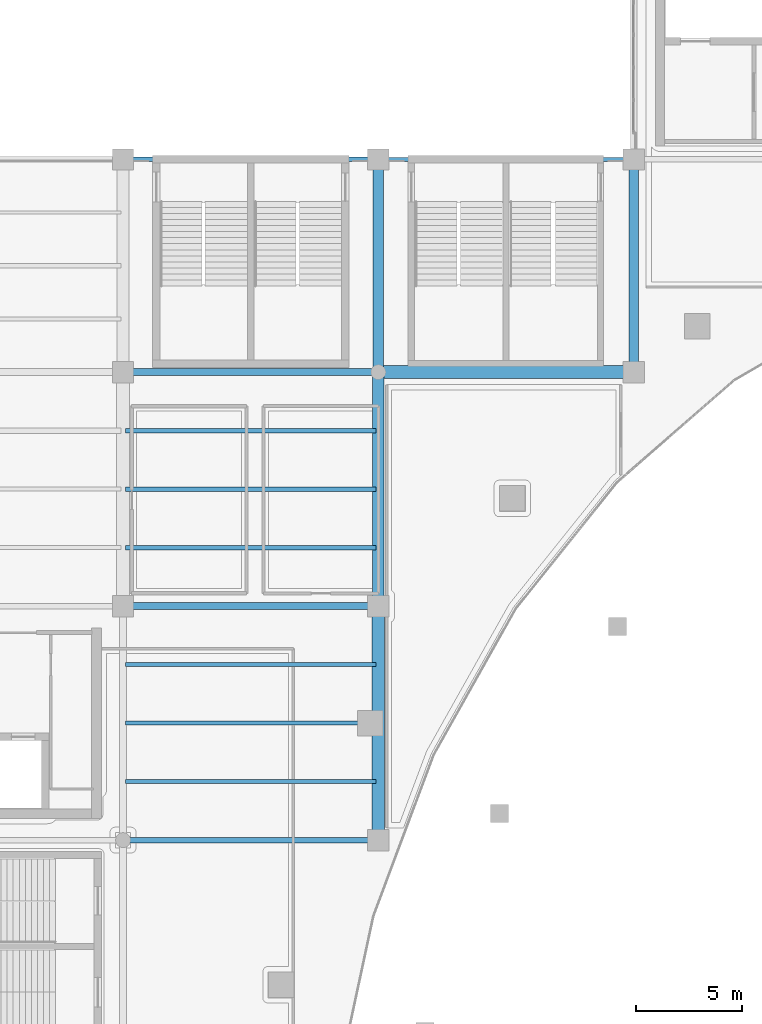
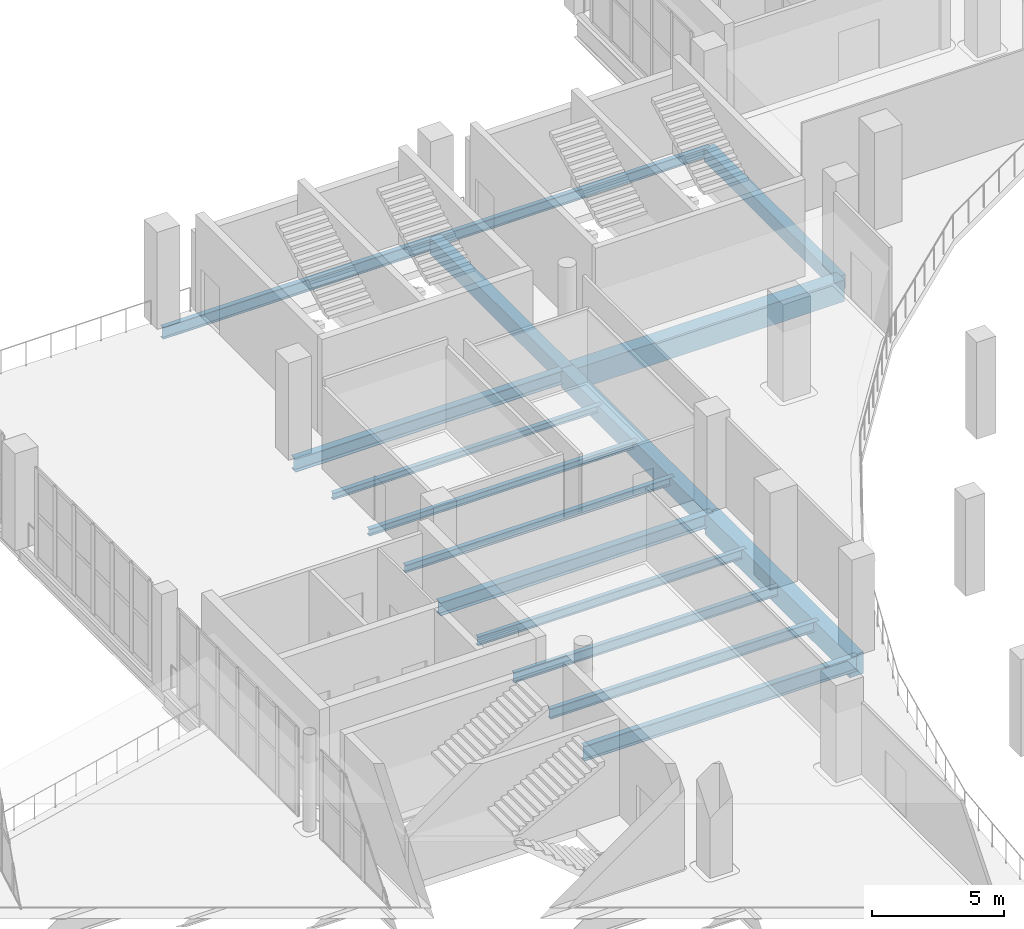
# One storey, part 43 of 108: 16 beams.
"""IFC4 building model written with IfcOpenShell, lengths in metres."""

import ifcopenshell
import ifcopenshell.guid

model = None  # the IFC model being written
_history = None  # IfcOwnerHistory: only IFC2X3 demands one
_inside = {}  # id of a spatial element -> (the spatial element, [elements in it])
_under = {}  # id of a project, library or spatial element -> (it, [spatial elements below it])
_declared = {}  # id of a project -> (the project, [libraries it declares])
_typed = {}  # id of a type object -> (the type object, [elements of that type])
_made_of = {}  # id of a material, layer set ... -> (it, [elements and type objects made of it])


def new_model(schema):
    """Start an empty IFC model of exactly this schema.

    Asked for "IFC4X3", IfcOpenShell would pick the latest addendum, in which some entities
    have other attributes; the version numbers below select the first issue.
    IFC2X3 requires an IfcOwnerHistory on every rooted entity: one is made here for all.
    """
    global model, _history
    if schema == "IFC4X3":
        model = ifcopenshell.file(schema_version=(4, 3, 0, 0))
    else:
        model = ifcopenshell.file(schema=schema)
    _inside.clear()
    _under.clear()
    _declared.clear()
    _typed.clear()
    _made_of.clear()
    _history = None
    if model.schema == "IFC2X3":
        org = make("IfcOrganization", Name="unknown")
        user = make(
            "IfcPersonAndOrganization",
            ThePerson=make("IfcPerson", FamilyName="unknown"),
            TheOrganization=org,
        )
        app = make(
            "IfcApplication",
            ApplicationDeveloper=org,
            Version="unknown",
            ApplicationFullName="unknown",
            ApplicationIdentifier="unknown",
        )
        _history = make(
            "IfcOwnerHistory",
            OwningUser=user,
            OwningApplication=app,
            ChangeAction="ADDED",
            CreationDate=0,
        )
    return model


def make(cls, **values):
    """One entity of the class cls with the attributes given. An attribute that is None is left unset."""
    return model.create_entity(
        cls, **{name: value for name, value in values.items() if value is not None}
    )


def rooted(cls, **values):
    """An entity with a GlobalId (a new one), such as an element, a storey or a relation."""
    return make(cls, GlobalId=ifcopenshell.guid.new(), OwnerHistory=_history, **values)


def si_unit(unit_type, name, prefix=None):
    """IfcSIUnit, for example si_unit("LENGTHUNIT", "METRE", prefix="MILLI")."""
    return make("IfcSIUnit", UnitType=unit_type, Prefix=prefix, Name=name)


def assignment(units):
    """IfcUnitAssignment: the units of a project."""
    return None if units is None else make("IfcUnitAssignment", Units=units)


def point(xyz):
    """IfcCartesianPoint."""
    return None if xyz is None else make("IfcCartesianPoint", Coordinates=xyz)


def direction(xyz):
    """IfcDirection."""
    return None if xyz is None else make("IfcDirection", DirectionRatios=xyz)


def frame(location, z_axis=None, x_axis=None):
    """IfcAxis2Placement3D, a coordinate frame: its origin and axes. An axis left out is left unset."""
    return make(
        "IfcAxis2Placement3D",
        Location=point(location),
        Axis=direction(z_axis),
        RefDirection=direction(x_axis),
    )


def frame_2d(location, x_axis=None):
    """IfcAxis2Placement2D, a coordinate frame in the plane: its origin and x axis."""
    return make(
        "IfcAxis2Placement2D", Location=point(location), RefDirection=direction(x_axis)
    )


def origin():
    """The frame at (0, 0, 0) with its axes left unset."""
    return frame((0.0, 0.0, 0.0))


def origin_2d():
    """The frame at (0, 0) in the plane with its x axis left unset."""
    return frame_2d((0.0, 0.0))


def place(relative_to, where):
    """IfcLocalPlacement: puts the frame where relative to a parent placement (None: the world)."""
    return make(
        "IfcLocalPlacement", PlacementRelTo=relative_to, RelativePlacement=where
    )


def context(
    kind, dimensions, precision=None, world=None, true_north=None, identifier=None
):
    """IfcGeometricRepresentationContext, for example the 3D "Model" context."""
    return make(
        "IfcGeometricRepresentationContext",
        ContextIdentifier=identifier,
        ContextType=kind,
        CoordinateSpaceDimension=dimensions,
        Precision=precision,
        WorldCoordinateSystem=world,
        TrueNorth=true_north,
    )


def subcontext(parent, identifier, kind, view, scale=None):
    """IfcGeometricRepresentationSubContext, for example "Body" below "Model"."""
    return make(
        "IfcGeometricRepresentationSubContext",
        ContextIdentifier=identifier,
        ContextType=kind,
        ParentContext=parent,
        TargetScale=scale,
        TargetView=view,
    )


def project(units=None, contexts=None):
    """IfcProject with its units and contexts."""
    return rooted(
        "IfcProject",
        Name="project",
        RepresentationContexts=contexts,
        UnitsInContext=assignment(units),
    )


def spatial(cls, under=None, at=None, **own):
    """A site, building, storey or space (cls), placed at a placement, below another one or the project."""
    s = rooted(cls, ObjectPlacement=at, **own)
    if under is not None:
        _under.setdefault(under.id(), (under, []))[1].append(s)
    return s


def profile(cls, at=None, kind="AREA", **sizes):
    """A parametric profile (cls). Its sizes go by their IFC names, for example OverallWidth=200.0."""
    return make(cls, ProfileType=kind, Position=at, **sizes)


def rectangle(**sizes):
    """IfcRectangleProfileDef."""
    return profile("IfcRectangleProfileDef", **sizes)


def i_section(**sizes):
    """IfcIShapeProfileDef."""
    return profile("IfcIShapeProfileDef", **sizes)


def extrude(swept, where, along, depth):
    """IfcExtrudedAreaSolid: the profile swept, set in the frame where, extruded along a direction by depth."""
    return make(
        "IfcExtrudedAreaSolid",
        SweptArea=swept,
        Position=where,
        ExtrudedDirection=direction(along),
        Depth=depth,
    )


def shape(context_of_items, identifier, shape_type, items):
    """IfcShapeRepresentation: the items that make up one representation, for example the "Body"."""
    return make(
        "IfcShapeRepresentation",
        ContextOfItems=context_of_items,
        RepresentationIdentifier=identifier,
        RepresentationType=shape_type,
        Items=items,
    )


def material(Name=None, Category=None):
    """IfcMaterial."""
    return make("IfcMaterial", Name=Name, Category=Category)


def material_profile(
    of_material, cross_section, Name=None, Category=None, Priority=None
):
    """IfcMaterialProfile: a cross section and its material."""
    return make(
        "IfcMaterialProfile",
        Name=Name,
        Material=of_material,
        Profile=cross_section,
        Priority=Priority,
        Category=Category,
    )


def profile_set(profiles, Name=None, composite=None):
    """IfcMaterialProfileSet."""
    return make(
        "IfcMaterialProfileSet",
        Name=Name,
        MaterialProfiles=profiles,
        CompositeProfile=composite,
    )


def made_of(thing, what):
    """Note that an element or type object is made of a material, layer set ...; save() writes the relation."""
    if what is not None:
        _made_of.setdefault(what.id(), (what, []))[1].append(thing)
    return thing


def type_object(cls, material=None, **own):
    """A type object (cls), such as IfcWallType, which elements share."""
    return made_of(rooted(cls, **own), material)


def element(
    cls,
    number,
    at=None,
    inside=None,
    cuts=None,
    type_object=None,
    material=None,
    context=None,
    identifier="Body",
    shape_type=None,
    held_by="IfcProductDefinitionShape",
    body=None,
    shapes=None,
    **own,
):
    """One element of the class cls, such as IfcWall. Its Tag is "e" and its number.

    at: its placement. inside: the storey or other place that contains it. cuts: it is an
    opening in that element (IfcRelVoidsElement). A single representation is given by context,
    identifier, shape_type and body (its items); several are given by shapes. held_by: the class
    of the entity that holds the representations. save() writes the other relations.
    """
    e = rooted(cls, Tag="e%d" % number, ObjectPlacement=at, **own)
    if body is not None:
        shapes = [shape(context, identifier, shape_type, body)]
    if shapes is not None:
        e.Representation = make(held_by, Representations=shapes)
    if inside is not None:
        _inside.setdefault(inside.id(), (inside, []))[1].append(e)
    if cuts is not None:
        rooted(
            "IfcRelVoidsElement", RelatingBuildingElement=cuts, RelatedOpeningElement=e
        )
    if type_object is not None:
        _typed.setdefault(type_object.id(), (type_object, []))[1].append(e)
    return made_of(e, material)


def aggregate(whole, parts):
    """IfcRelAggregates: a whole, such as a stair, and the parts it consists of."""
    return rooted("IfcRelAggregates", RelatingObject=whole, RelatedObjects=parts)


def save(model, path):
    """Write the relations noted so far, then the file.

    IfcRelAggregates (storeys below a building ...), IfcRelContainedInSpatialStructure (elements
    in a storey), IfcRelDefinesByType, IfcRelAssociatesMaterial and IfcRelDeclares: one each for
    every whole, place, type object, material and project.
    """
    for whole, parts in _under.values():
        aggregate(whole, parts)
    for where, things in _inside.values():
        rooted(
            "IfcRelContainedInSpatialStructure",
            RelatedElements=things,
            RelatingStructure=where,
        )
    for kind, things in _typed.values():
        rooted("IfcRelDefinesByType", RelatedObjects=things, RelatingType=kind)
    for what, things in _made_of.values():
        rooted("IfcRelAssociatesMaterial", RelatedObjects=things, RelatingMaterial=what)
    for by, libraries in _declared.values():
        rooted("IfcRelDeclares", RelatingContext=by, RelatedDefinitions=libraries)
    model.write(path)


model = new_model("IFC4")

# Units and contexts
model_context = context("Model", 3, precision=1e-05, world=origin(), true_north=direction((0.0, 1.0)))
body_context = subcontext(model_context, "Body", "Model", "MODEL_VIEW")
ifc_project = project(units=[si_unit("LENGTHUNIT", "METRE"), si_unit("AREAUNIT", "SQUARE_METRE"), si_unit("VOLUMEUNIT", "CUBIC_METRE"), si_unit("PLANEANGLEUNIT", "RADIAN"), si_unit("MASSUNIT", "GRAM", prefix="KILO")], contexts=[model_context])

# Site, building, storey
site_placement = place(None, origin())
site = spatial("IfcSite", under=ifc_project, at=site_placement, CompositionType="ELEMENT")
building_placement = place(site_placement, origin())
building = spatial("IfcBuilding", under=site, at=building_placement, Name="Brinegate Civic Arena", CompositionType="ELEMENT")
storey_placement = place(building_placement, frame((0.0, 0.0, 10.199951171875)))
storey = spatial("IfcBuildingStorey", under=building, at=storey_placement, Name="L02", CompositionType="ELEMENT", Elevation=10.199951171875)

# Beams
ifc_material_1 = material(Name="Steel S355", Category="steel")
ifc_material_profile_1 = material_profile(ifc_material_1, i_section(OverallWidth=0.323974609375, OverallDepth=0.611083984375, WebThickness=0.012939453125, FlangeThickness=0.01904296875, FilletRadius=0.01611328125, at=origin_2d()), Name="W610X155")
ifc_profile_set_1 = profile_set([ifc_material_profile_1], Name="Steel S355")
beam_type_1 = type_object("IfcBeamType", Name="GIRDER-W610X155", PredefinedType="BEAM", material=ifc_profile_set_1)
beam_1_placement = place(storey_placement, frame((60.0, 93.0, -0.635009765625), z_axis=(1.0, 0.0, 0.0), x_axis=(0.0, 1.0, 0.0)))
element("IfcBeam", 1, at=beam_1_placement, inside=storey, type_object=beam_type_1, Name="Floor Girder BM-L02-GX-05-09", PredefinedType="BEAM", context=body_context, shape_type="SweptSolid", body=[
    extrude(i_section(OverallWidth=0.323974609375, OverallDepth=0.611083984375, WebThickness=0.012939453125, FlangeThickness=0.01904296875, FilletRadius=0.01611328125, at=origin_2d()), origin(), (0.0, 0.0, 1.0), 12.0),
])
ifc_material_profile_2 = material_profile(ifc_material_1, i_section(OverallWidth=0.324951171875, OverallDepth=0.615966796875, WebThickness=0.013916015625, FlangeThickness=0.02197265625, FilletRadius=0.01611328125, at=origin_2d()), Name="W610X174")
ifc_profile_set_2 = profile_set([ifc_material_profile_2], Name="Steel S355")
beam_type_2 = type_object("IfcBeamType", Name="GIRDER-W610X174", PredefinedType="BEAM", material=ifc_profile_set_2)
beam_2_placement = place(storey_placement, frame((60.0, 104.0, -0.637939453125), z_axis=(1.0, 0.0, 0.0), x_axis=(0.0, 1.0, 0.0)))
element("IfcBeam", 2, at=beam_2_placement, inside=storey, type_object=beam_type_2, Name="Floor Girder BM-L02-GX-05-10", PredefinedType="BEAM", context=body_context, shape_type="SweptSolid", body=[
    extrude(i_section(OverallWidth=0.324951171875, OverallDepth=0.615966796875, WebThickness=0.013916015625, FlangeThickness=0.02197265625, FilletRadius=0.01611328125, at=origin_2d()), origin(), (0.0, 0.0, 1.0), 12.0),
])
ifc_material_profile_3 = material_profile(ifc_material_1, i_section(OverallWidth=0.256103515625, OverallDepth=0.693115234375, WebThickness=0.014892578125, FlangeThickness=0.02392578125, FilletRadius=0.01806640625, at=origin_2d()), Name="W690X170")
ifc_profile_set_3 = profile_set([ifc_material_profile_3], Name="Steel S355")
beam_type_3 = type_object("IfcBeamType", Name="GIRDER-W690X170", PredefinedType="BEAM", material=ifc_profile_set_3)
beam_3_placement = place(storey_placement, frame((60.0, 82.0, -0.676025390625), z_axis=(1.0, 0.0, 0.0), x_axis=(0.0, 1.0, 0.0)))
element("IfcBeam", 3, at=beam_3_placement, inside=storey, type_object=beam_type_3, Name="Floor Girder BM-L02-GX-05-08", PredefinedType="BEAM", context=body_context, shape_type="SweptSolid", body=[
    extrude(i_section(OverallWidth=0.256103515625, OverallDepth=0.693115234375, WebThickness=0.014892578125, FlangeThickness=0.02392578125, FilletRadius=0.01806640625, at=origin_2d()), origin(), (0.0, 0.0, 1.0), 12.0),
])
ifc_material_profile_4 = material_profile(ifc_material_1, i_section(OverallWidth=0.202880859375, OverallDepth=0.302978515625, WebThickness=0.008056640625, FlangeThickness=0.012939453125, FilletRadius=0.012939453125, at=origin_2d()), Name="W310X60")
ifc_profile_set_4 = profile_set([ifc_material_profile_4], Name="Steel S355")
beam_type_4 = type_object("IfcBeamType", Name="JOIST-W310X60", PredefinedType="JOIST", material=ifc_profile_set_4)
beam_4_placement = place(storey_placement, frame((60.10595703125, 101.25, -0.48095703125), z_axis=(1.0, 0.0, 0.0), x_axis=(0.0, 1.0, 0.0)))
element("IfcBeam", 4, at=beam_4_placement, inside=storey, type_object=beam_type_4, Name="Secondary Joist BM-L02-JX-05-09-3", PredefinedType="JOIST", context=body_context, shape_type="SweptSolid", body=[
    extrude(i_section(OverallWidth=0.202880859375, OverallDepth=0.302978515625, WebThickness=0.008056640625, FlangeThickness=0.012939453125, FilletRadius=0.012939453125, at=origin_2d()), origin(), (0.0, 0.0, 1.0), 11.7880859375),
])
ifc_material_profile_5 = material_profile(ifc_material_1, i_section(OverallWidth=0.205078125, OverallDepth=0.31005859375, WebThickness=0.009033203125, FlangeThickness=0.01611328125, FilletRadius=0.012939453125, at=origin_2d()), Name="W310X74")
ifc_profile_set_5 = profile_set([ifc_material_profile_5], Name="Steel S355")
beam_type_5 = type_object("IfcBeamType", Name="JOIST-W310X74", PredefinedType="JOIST", material=ifc_profile_set_5)
beam_5_placement = place(storey_placement, frame((60.10595703125, 98.5, -0.48486328125), z_axis=(1.0, 0.0, 0.0), x_axis=(0.0, 1.0, 0.0)))
element("IfcBeam", 5, at=beam_5_placement, inside=storey, type_object=beam_type_5, Name="Secondary Joist BM-L02-JX-05-09-2", PredefinedType="JOIST", context=body_context, shape_type="SweptSolid", body=[
    extrude(i_section(OverallWidth=0.205078125, OverallDepth=0.31005859375, WebThickness=0.009033203125, FlangeThickness=0.01611328125, FilletRadius=0.012939453125, at=origin_2d()), origin(), (0.0, 0.0, 1.0), 11.7880859375),
])
ifc_material_profile_6 = material_profile(ifc_material_1, i_section(OverallWidth=0.205078125, OverallDepth=0.35400390625, WebThickness=0.009033203125, FlangeThickness=0.01708984375, FilletRadius=0.013916015625, at=origin_2d()), Name="W360X79")
ifc_profile_set_6 = profile_set([ifc_material_profile_6], Name="Steel S355")
beam_type_6 = type_object("IfcBeamType", Name="JOIST-W360X79", PredefinedType="JOIST", material=ifc_profile_set_6)
beam_6_placement = place(storey_placement, frame((60.10595703125, 95.75, -0.5068359375), z_axis=(1.0, 0.0, 0.0), x_axis=(0.0, 1.0, 0.0)))
element("IfcBeam", 6, at=beam_6_placement, inside=storey, type_object=beam_type_6, Name="Secondary Joist BM-L02-JX-05-09-1", PredefinedType="JOIST", context=body_context, shape_type="SweptSolid", body=[
    extrude(i_section(OverallWidth=0.205078125, OverallDepth=0.35400390625, WebThickness=0.009033203125, FlangeThickness=0.01708984375, FilletRadius=0.013916015625, at=origin_2d()), origin(), (0.0, 0.0, 1.0), 11.7880859375),
])
ifc_material_profile_7 = material_profile(ifc_material_1, i_section(OverallWidth=0.180908203125, OverallDepth=0.4169921875, WebThickness=0.010986328125, FlangeThickness=0.01806640625, FilletRadius=0.013916015625, at=origin_2d()), Name="W410X85")
ifc_profile_set_7 = profile_set([ifc_material_profile_7], Name="Steel S355")
beam_type_7 = type_object("IfcBeamType", Name="JOIST-W410X85", PredefinedType="JOIST", material=ifc_profile_set_7)
beam_7_placement = place(storey_placement, frame((60.10595703125, 90.25, -0.537841796875), z_axis=(1.0, 0.0, 0.0), x_axis=(0.0, 1.0, 0.0)))
element("IfcBeam", 7, at=beam_7_placement, inside=storey, type_object=beam_type_7, Name="Secondary Joist BM-L02-JX-05-08-3", PredefinedType="JOIST", context=body_context, shape_type="SweptSolid", body=[
    extrude(i_section(OverallWidth=0.180908203125, OverallDepth=0.4169921875, WebThickness=0.010986328125, FlangeThickness=0.01806640625, FilletRadius=0.013916015625, at=origin_2d()), origin(), (0.0, 0.0, 1.0), 11.7880859375),
])
ifc_material_profile_8 = material_profile(ifc_material_1, i_section(OverallWidth=0.195068359375, OverallDepth=0.472900390625, WebThickness=0.011962890625, FlangeThickness=0.02197265625, FilletRadius=0.014892578125, at=origin_2d()), Name="W460X113")
ifc_profile_set_8 = profile_set([ifc_material_profile_8], Name="Steel S355")
beam_type_8 = type_object("IfcBeamType", Name="JOIST-W460X113", PredefinedType="JOIST", material=ifc_profile_set_8)
beam_8_placement = place(storey_placement, frame((60.10595703125, 84.75, -0.56591796875), z_axis=(1.0, 0.0, 0.0), x_axis=(0.0, 1.0, 0.0)))
element("IfcBeam", 8, at=beam_8_placement, inside=storey, type_object=beam_type_8, Name="Secondary Joist BM-L02-JX-05-08-1", PredefinedType="JOIST", context=body_context, shape_type="SweptSolid", body=[
    extrude(i_section(OverallWidth=0.195068359375, OverallDepth=0.472900390625, WebThickness=0.011962890625, FlangeThickness=0.02197265625, FilletRadius=0.014892578125, at=origin_2d()), origin(), (0.0, 0.0, 1.0), 11.7880859375),
])
ifc_material_profile_9 = material_profile(ifc_material_1, i_section(OverallWidth=0.19091796875, OverallDepth=0.4599609375, WebThickness=0.010009765625, FlangeThickness=0.01611328125, FilletRadius=0.014892578125, at=origin_2d()), Name="W460X82")
ifc_profile_set_9 = profile_set([ifc_material_profile_9], Name="Steel S355")
beam_type_9 = type_object("IfcBeamType", Name="JOIST-W460X82", PredefinedType="JOIST", material=ifc_profile_set_9)
beam_9_placement = place(storey_placement, frame((60.10595703125, 87.5, -0.56005859375), z_axis=(1.0, 0.0, 0.0), x_axis=(0.0, 1.0, 0.0)))
element("IfcBeam", 9, at=beam_9_placement, inside=storey, type_object=beam_type_9, Name="Secondary Joist BM-L02-JX-05-08-2", PredefinedType="JOIST", context=body_context, shape_type="SweptSolid", body=[
    extrude(i_section(OverallWidth=0.19091796875, OverallDepth=0.4599609375, WebThickness=0.010009765625, FlangeThickness=0.01611328125, FilletRadius=0.014892578125, at=origin_2d()), origin(), (0.0, 0.0, 1.0), 11.7880859375),
])
ifc_material_2 = material(Name="Concrete C50/60", Category="concrete")
ifc_material_profile_10 = material_profile(ifc_material_2, rectangle(XDim=0.449951171875, YDim=0.64990234375, at=origin_2d()), Name="RCB450X650")
ifc_profile_set_10 = profile_set([ifc_material_profile_10], Name="Concrete C50/60")
beam_type_10 = type_object("IfcBeamType", Name="RCG-450X650", PredefinedType="BEAM", material=ifc_profile_set_10)
beam_10_placement = place(storey_placement, frame((84.0, 104.0, -0.655029296875), z_axis=(0.0, 1.0, 0.0), x_axis=(-1.0, 0.0, 0.0)))
element("IfcBeam", 10, at=beam_10_placement, inside=storey, type_object=beam_type_10, Name="Floor Girder BM-L02-GY-07-10", PredefinedType="BEAM", context=body_context, shape_type="SweptSolid", body=[
    extrude(rectangle(XDim=0.449951171875, YDim=0.64990234375, at=origin_2d()), origin(), (0.0, 0.0, 1.0), 10.0),
])
ifc_material_profile_11 = material_profile(ifc_material_2, rectangle(XDim=0.5, YDim=0.75, at=origin_2d()), Name="RCB500X750")
ifc_profile_set_11 = profile_set([ifc_material_profile_11], Name="Concrete C50/60")
beam_type_11 = type_object("IfcBeamType", Name="RCG-500X750", PredefinedType="BEAM", material=ifc_profile_set_11)
beam_11_placement = place(storey_placement, frame((72.0, 104.0, -0.704833984375), z_axis=(0.0, 1.0, 0.0), x_axis=(-1.0, 0.0, 0.0)))
element("IfcBeam", 11, at=beam_11_placement, inside=storey, type_object=beam_type_11, Name="Floor Girder BM-L02-GY-06-10", PredefinedType="BEAM", context=body_context, shape_type="SweptSolid", body=[
    extrude(rectangle(XDim=0.5, YDim=0.75, at=origin_2d()), origin(), (0.0, 0.0, 1.0), 10.0),
])
ifc_material_profile_12 = material_profile(ifc_material_2, rectangle(XDim=0.550048828125, YDim=0.85009765625, at=origin_2d()), Name="RCB550X850")
ifc_profile_set_12 = profile_set([ifc_material_profile_12], Name="Concrete C50/60")
beam_type_12 = type_object("IfcBeamType", Name="RCG-550X850", PredefinedType="BEAM", material=ifc_profile_set_12)
beam_12_placement = place(storey_placement, frame((72.0, 93.0, -0.7548828125), z_axis=(0.0, 1.0, 0.0), x_axis=(-1.0, 0.0, 0.0)))
element("IfcBeam", 12, at=beam_12_placement, inside=storey, type_object=beam_type_12, Name="Floor Girder BM-L02-GY-06-09", PredefinedType="BEAM", context=body_context, shape_type="SweptSolid", body=[
    extrude(rectangle(XDim=0.550048828125, YDim=0.85009765625, at=origin_2d()), origin(), (0.0, 0.0, 1.0), 11.0),
])
ifc_material_profile_13 = material_profile(ifc_material_2, rectangle(XDim=0.60009765625, YDim=1.0, at=origin_2d()), Name="RCB600X1000")
ifc_profile_set_13 = profile_set([ifc_material_profile_13], Name="Concrete C50/60")
beam_type_13 = type_object("IfcBeamType", Name="RCG-600X1000", PredefinedType="BEAM", material=ifc_profile_set_13)
beam_13_placement = place(storey_placement, frame((72.0, 104.0, -0.829833984375), z_axis=(1.0, 0.0, 0.0), x_axis=(0.0, 1.0, 0.0)))
element("IfcBeam", 13, at=beam_13_placement, inside=storey, type_object=beam_type_13, Name="Floor Girder BM-L02-GX-06-10", PredefinedType="BEAM", context=body_context, shape_type="SweptSolid", body=[
    extrude(rectangle(XDim=0.60009765625, YDim=1.0, at=origin_2d()), origin(), (0.0, 0.0, 1.0), 12.0),
])
beam_14_placement = place(storey_placement, frame((72.0, 82.0, -0.829833984375), z_axis=(0.0, 1.0, 0.0), x_axis=(-1.0, 0.0, 0.0)))
element("IfcBeam", 14, at=beam_14_placement, inside=storey, type_object=beam_type_13, Name="Floor Girder BM-L02-GY-06-08", PredefinedType="BEAM", context=body_context, shape_type="SweptSolid", body=[
    extrude(rectangle(XDim=0.60009765625, YDim=1.0, at=origin_2d()), origin(), (0.0, 0.0, 1.0), 11.0),
])
ifc_material_profile_14 = material_profile(ifc_material_1, i_section(OverallWidth=0.193115234375, OverallDepth=0.466064453125, WebThickness=0.010986328125, FlangeThickness=0.01904296875, FilletRadius=0.014892578125, at=origin_2d()), Name="W460X97")
ifc_profile_set_14 = profile_set([ifc_material_profile_14], Name="Steel S355")
beam_type_14 = type_object("IfcBeamType", Name="SPANDREL-W460X97", PredefinedType="SPANDREL", material=ifc_profile_set_14)
beam_15_placement = place(storey_placement, frame((72.0, 114.0, -0.56298828125), z_axis=(1.0, 0.0, 0.0), x_axis=(0.0, 1.0, 0.0)))
element("IfcBeam", 15, at=beam_15_placement, inside=storey, type_object=beam_type_14, Name="Floor Girder BM-L02-GX-06-11", PredefinedType="SPANDREL", context=body_context, shape_type="SweptSolid", body=[
    extrude(i_section(OverallWidth=0.193115234375, OverallDepth=0.466064453125, WebThickness=0.010986328125, FlangeThickness=0.01904296875, FilletRadius=0.014892578125, at=origin_2d()), origin(), (0.0, 0.0, 1.0), 12.0),
])
ifc_material_profile_15 = material_profile(ifc_material_1, i_section(OverallWidth=0.2119140625, OverallDepth=0.5439453125, WebThickness=0.012939453125, FlangeThickness=0.02099609375, FilletRadius=0.01611328125, at=origin_2d()), Name="W530X123")
ifc_profile_set_15 = profile_set([ifc_material_profile_15], Name="Steel S355")
beam_type_15 = type_object("IfcBeamType", Name="SPANDREL-W530X123", PredefinedType="SPANDREL", material=ifc_profile_set_15)
beam_16_placement = place(storey_placement, frame((60.0, 114.0, -0.60205078125), z_axis=(1.0, 0.0, 0.0), x_axis=(0.0, 1.0, 0.0)))
element("IfcBeam", 16, at=beam_16_placement, inside=storey, type_object=beam_type_15, Name="Floor Girder BM-L02-GX-05-11", PredefinedType="SPANDREL", context=body_context, shape_type="SweptSolid", body=[
    extrude(i_section(OverallWidth=0.2119140625, OverallDepth=0.5439453125, WebThickness=0.012939453125, FlangeThickness=0.02099609375, FilletRadius=0.01611328125, at=origin_2d()), origin(), (0.0, 0.0, 1.0), 12.0),
])

save(model, "model.ifc")
